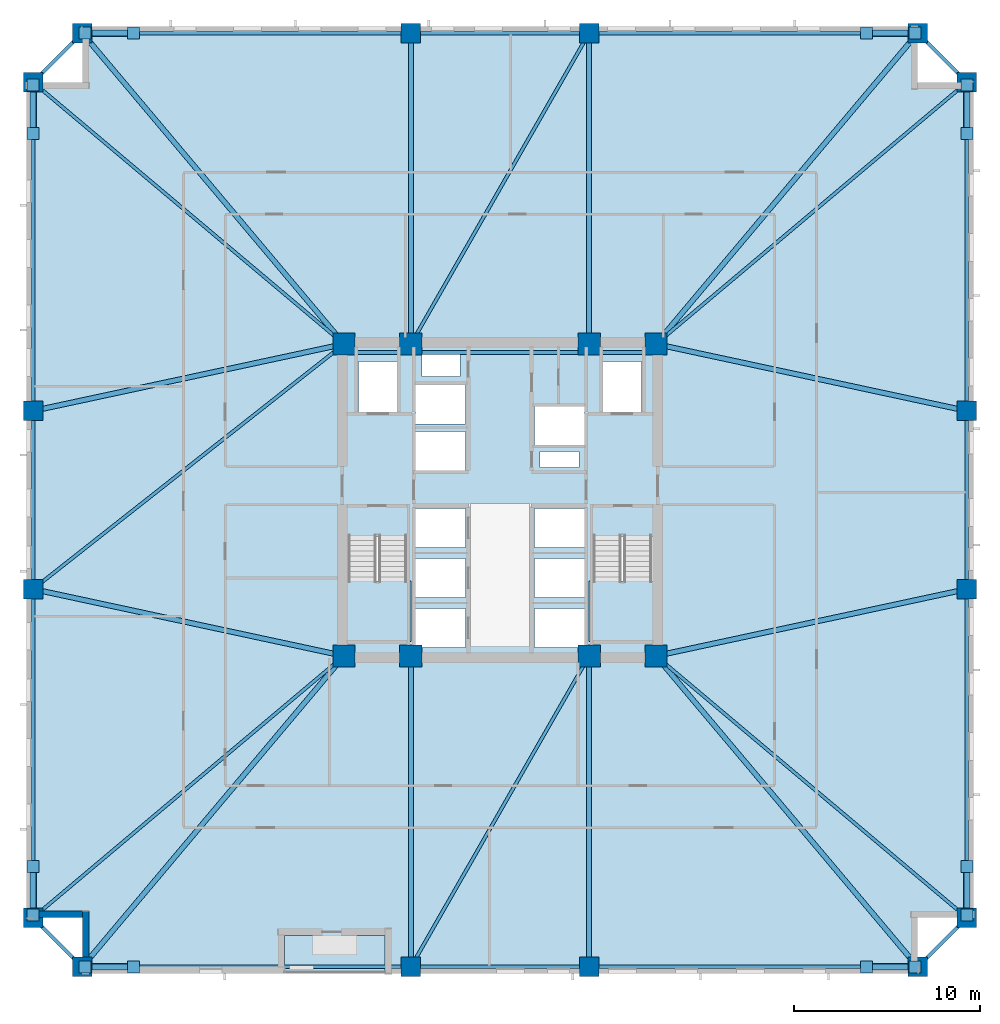
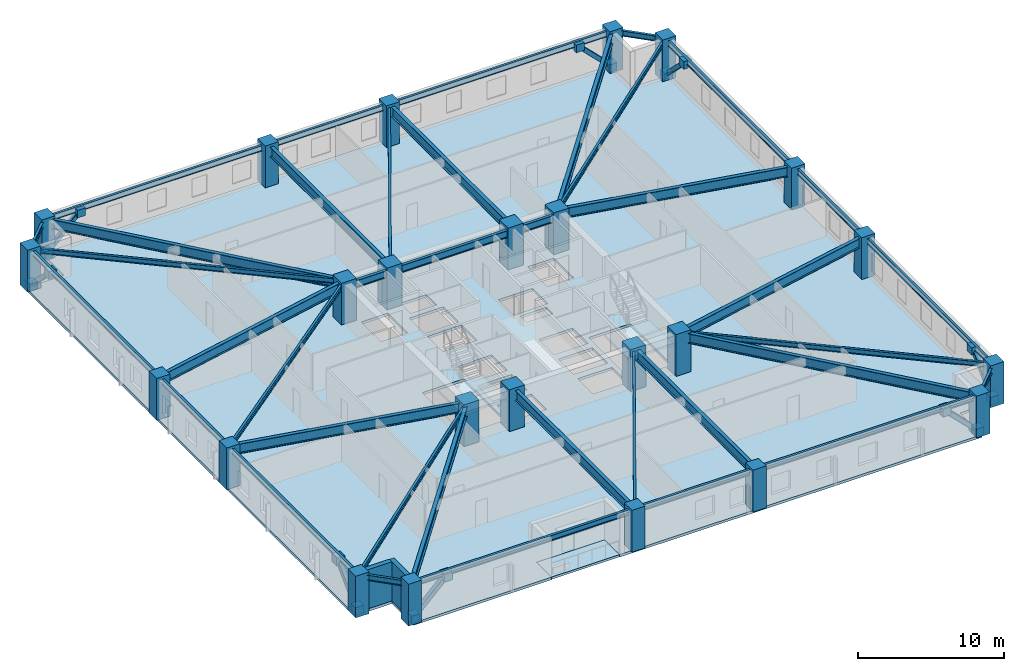
# One storey, part 1 of 10: 38 beams, 24 columns, 16 plates, 8 members, 4 slabs, 2 walls, 2 elements without a shape of their own.
"""IFC4 building model written with IfcOpenShell, lengths in metres."""

from ifc_helpers import new_model, si_unit, direction, frame, frame_2d, origin, origin_2d, place, context, subcontext, project, spatial, polyline, rectangle, hollow_rectangle, i_section, outline, extrude, material, layer, layer_set, material_profile, profile_set, type_object, element, aggregate, save


model = new_model("IFC4")

# Units and contexts
model_context = context("Model", 3, precision=1e-05, world=origin(), true_north=direction((0.0, 1.0)))
body_context = subcontext(model_context, "Body", "Model", "MODEL_VIEW")
ifc_project = project(units=[si_unit("LENGTHUNIT", "METRE"), si_unit("AREAUNIT", "SQUARE_METRE"), si_unit("VOLUMEUNIT", "CUBIC_METRE"), si_unit("PLANEANGLEUNIT", "RADIAN"), si_unit("MASSUNIT", "GRAM", prefix="KILO")], contexts=[model_context])

# Site, building, storey
site_placement = place(None, origin())
site = spatial("IfcSite", under=ifc_project, at=site_placement, CompositionType="ELEMENT")
building_placement = place(site_placement, origin())
building = spatial("IfcBuilding", under=site, at=building_placement, Name="Cairnveth Concourse Tower", CompositionType="ELEMENT")
storey_placement = place(building_placement, frame((0.0, 0.0, 27.0)))
storey = spatial("IfcBuildingStorey", under=building, at=storey_placement, Name="L06", CompositionType="ELEMENT", Elevation=27.0)

# Columns
ifc_material_1 = material(Name="Concrete N80 (80 MPa)", Category="concrete")
ifc_material_profile_1 = material_profile(ifc_material_1, rectangle(XDim=1.199951171875, YDim=1.199951171875, at=origin_2d()), Name="RC-COL-1200x1200")
ifc_profile_set_1 = profile_set([ifc_material_profile_1], Name="Concrete N80 (80 MPa)")
column_type_1 = type_object("IfcColumnType", Name="CORE COLUMN 1200X1200", PredefinedType="COLUMN", material=ifc_profile_set_1)
for number, where, z_axis, x_axis, name in (
    (1, (43.60009765625, 30.60009765625, 0.0), (0.0, 0.0, 1.0), (1.0, 0.0, 0.0), "Column CC1 L06"),
    (2, (47.199951171875, 30.60009765625, 0.0), (0.0, 0.0, 1.0), (1.0, 0.0, 0.0), "Column CC2 L06"),
    (3, (56.800048828125, 30.60009765625, 0.0), (0.0, 0.0, 1.0), (1.0, 0.0, 0.0), "Column CC3 L06"),
    (4, (60.39990234375, 30.60009765625, 0.0), (0.0, 0.0, 1.0), (1.0, 0.0, 0.0), "Column CC4 L06"),
    (5, (43.60009765625, 47.39990234375, 0.0), (0.0, 0.0, 1.0), (1.0, 0.0, 0.0), "Column CC5 L06"),
    (6, (47.199951171875, 47.39990234375, 0.0), (0.0, 0.0, 1.0), (1.0, 0.0, 0.0), "Column CC6 L06"),
    (7, (56.800048828125, 47.39990234375, 0.0), (0.0, 0.0, 1.0), (1.0, 0.0, 0.0), "Column CC7 L06"),
    (8, (60.39990234375, 47.39990234375, 0.0), (0.0, 0.0, 1.0), (1.0, 0.0, 0.0), "Column CC8 L06"),
):
    element("IfcColumn", number, at=place(storey_placement, frame(where, z_axis=z_axis, x_axis=x_axis)), inside=storey, type_object=column_type_1, Name=name, PredefinedType="COLUMN", context=body_context, shape_type="SweptSolid", body=[
        extrude(rectangle(XDim=1.199951171875, YDim=1.199951171875, at=origin_2d()), origin(), (0.0, 0.0, 1.0), 3.5),
    ])
ifc_material_2 = material(Name="Concrete N65 (65 MPa)", Category="concrete")
ifc_material_profile_2 = material_profile(ifc_material_2, rectangle(XDim=1.050048828125, YDim=1.050048828125, at=origin_2d()), Name="RC-COL-1050x1050")
ifc_profile_set_2 = profile_set([ifc_material_profile_2], Name="Concrete N65 (65 MPa)")
column_type_2 = type_object("IfcColumnType", Name="PERIMETER PIER COLUMN 1050X1050", PredefinedType="COLUMN", material=ifc_profile_set_2)
for number, where, z_axis, x_axis, name in (
    (9, (29.5, 13.85009765625, 0.0), (0.0, 0.0, 1.0), (1.0, 0.0, 0.0), "Column P-S1 L06"),
    (10, (47.199951171875, 13.85009765625, 0.0), (0.0, 0.0, 1.0), (1.0, 0.0, 0.0), "Column P-S2 L06"),
    (11, (56.800048828125, 13.85009765625, 0.0), (0.0, 0.0, 1.0), (1.0, 0.0, 0.0), "Column P-S3 L06"),
    (12, (74.5, 13.85009765625, 0.0), (0.0, 0.0, 1.0), (1.0, 0.0, 0.0), "Column P-S4 L06"),
    (13, (77.14990234375, 16.5, 0.0), (0.0, 0.0, 1.0), (0.0, 1.0, 0.0), "Column P-E1 L06"),
    (14, (77.14990234375, 34.199951171875, 0.0), (0.0, 0.0, 1.0), (0.0, 1.0, 0.0), "Column P-E2 L06"),
    (15, (77.14990234375, 43.800048828125, 0.0), (0.0, 0.0, 1.0), (0.0, 1.0, 0.0), "Column P-E3 L06"),
    (16, (77.14990234375, 61.5, 0.0), (0.0, 0.0, 1.0), (0.0, 1.0, 0.0), "Column P-E4 L06"),
    (17, (74.5, 64.14990234375, 0.0), (0.0, 0.0, 1.0), (1.0, 0.0, 0.0), "Column P-N1 L06"),
    (18, (56.800048828125, 64.14990234375, 0.0), (0.0, 0.0, 1.0), (1.0, 0.0, 0.0), "Column P-N2 L06"),
    (19, (47.199951171875, 64.14990234375, 0.0), (0.0, 0.0, 1.0), (1.0, 0.0, 0.0), "Column P-N3 L06"),
    (20, (29.5, 64.14990234375, 0.0), (0.0, 0.0, 1.0), (1.0, 0.0, 0.0), "Column P-N4 L06"),
    (21, (26.85009765625, 61.5, 0.0), (0.0, 0.0, 1.0), (0.0, 1.0, 0.0), "Column P-W1 L06"),
    (22, (26.85009765625, 43.800048828125, 0.0), (0.0, 0.0, 1.0), (0.0, 1.0, 0.0), "Column P-W2 L06"),
    (23, (26.85009765625, 34.199951171875, 0.0), (0.0, 0.0, 1.0), (0.0, 1.0, 0.0), "Column P-W3 L06"),
    (24, (26.85009765625, 16.5, 0.0), (0.0, 0.0, 1.0), (0.0, 1.0, 0.0), "Column P-W4 L06"),
):
    element("IfcColumn", number, at=place(storey_placement, frame(where, z_axis=z_axis, x_axis=x_axis)), inside=storey, type_object=column_type_2, Name=name, PredefinedType="COLUMN", context=body_context, shape_type="SweptSolid", body=[
        extrude(rectangle(XDim=1.050048828125, YDim=1.050048828125, at=origin_2d()), origin(), (0.0, 0.0, 1.0), 3.5),
    ])

# Beams
ifc_material_3 = material(Name="Steel Grade 350", Category="steel")
ifc_material_profile_3 = material_profile(ifc_material_3, i_section(OverallWidth=0.22802734375, OverallDepth=0.60693359375, WebThickness=0.01123046875, FlangeThickness=0.017333984375, FilletRadius=0.013916015625, at=origin_2d()), Name="610UB113")
ifc_profile_set_3 = profile_set([ifc_material_profile_3], Name="Steel Grade 350")
beam_type_1 = type_object("IfcBeamType", Name="CORE TIE BEAM 610UB113", PredefinedType="T_BEAM", material=ifc_profile_set_3)
for number, where, z_axis, x_axis, name in (
    (25, (43.60009765625, 46.949951171875, 2.9765625), (1.0, 0.0, 0.0), (0.0, 1.0, 0.0), "Beam CT-N1 L06"),
    (26, (56.800048828125, 46.949951171875, 2.9765625), (1.0, 0.0, 0.0), (0.0, 1.0, 0.0), "Beam CT-N3 L06"),
):
    element("IfcBeam", number, at=place(storey_placement, frame(where, z_axis=z_axis, x_axis=x_axis)), inside=storey, type_object=beam_type_1, Name=name, PredefinedType="T_BEAM", context=body_context, shape_type="SweptSolid", body=[
        extrude(i_section(OverallWidth=0.22802734375, OverallDepth=0.60693359375, WebThickness=0.01123046875, FlangeThickness=0.017333984375, FilletRadius=0.013916015625, at=origin_2d()), origin(), (0.0, 0.0, 1.0), 3.599853515625),
    ])
beam_1_placement = place(storey_placement, frame((47.199951171875, 46.949951171875, 2.9765625), z_axis=(1.0, 0.0, 0.0), x_axis=(0.0, 1.0, 0.0)))
element("IfcBeam", 27, at=beam_1_placement, inside=storey, type_object=beam_type_1, Name="Beam CT-N2 L06", PredefinedType="T_BEAM", context=body_context, shape_type="SweptSolid", body=[
    extrude(i_section(OverallWidth=0.22802734375, OverallDepth=0.60693359375, WebThickness=0.01123046875, FlangeThickness=0.017333984375, FilletRadius=0.013916015625, at=origin_2d()), origin(), (0.0, 0.0, 1.0), 9.60009765625),
])
ifc_material_profile_4 = material_profile(ifc_material_3, i_section(OverallWidth=0.177978515625, OverallDepth=0.406005859375, WebThickness=0.0078125, FlangeThickness=0.0126953125, FilletRadius=0.010986328125, at=origin_2d()), Name="410UB59.7")
ifc_profile_set_4 = profile_set([ifc_material_profile_4], Name="Steel Grade 350")
beam_type_2 = type_object("IfcBeamType", Name="ZONE 1 FLOOR JOIST 410UB59.7", PredefinedType="JOIST", material=ifc_profile_set_4)
for number, where, z_axis, x_axis, name in (
    (28, (26.85009765625, 16.5, 3.076904296875), (0.765027427674, 0.643997697905, 0.0), (-0.643997697905, 0.765027427674, 0.0), "Beam FJ-CSW2 L06"),
    (29, (77.14990234375, 16.5, 3.076904296875), (-0.765027427674, 0.643997697905, 0.0), (-0.643997697905, -0.765027427674, 0.0), "Beam FJ-CSE2 L06"),
    (30, (77.14990234375, 61.5, 3.076904296875), (-0.765027427674, -0.643997697905, 0.0), (0.643997697905, -0.765027427674, 0.0), "Beam FJ-CNE2 L06"),
    (31, (26.85009765625, 61.5, 3.076904296875), (0.765027427674, -0.643997697905, 0.0), (0.643997697905, 0.765027427674, 0.0), "Beam FJ-CNW2 L06"),
):
    element("IfcBeam", number, at=place(storey_placement, frame(where, z_axis=z_axis, x_axis=x_axis)), inside=storey, type_object=beam_type_2, Name=name, PredefinedType="JOIST", context=body_context, shape_type="SweptSolid", body=[
        extrude(i_section(OverallWidth=0.177978515625, OverallDepth=0.406005859375, WebThickness=0.0078125, FlangeThickness=0.0126953125, FilletRadius=0.010986328125, at=origin_2d()), origin(), (0.0, 0.0, 1.0), 21.89453125),
    ])
for number, where, z_axis, x_axis, name in (
    (32, (47.199951171875, 13.85009765625, 3.076904296875), (0.497257970706, 0.86760273776, 0.0), (-0.86760273776, 0.497257970706, 0.0), "Beam FJ-S-M1 L06"),
    (33, (47.199951171875, 47.39990234375, 3.076904296875), (0.497257970706, 0.86760273776, 0.0), (-0.86760273776, 0.497257970706, 0.0), "Beam FJ-N-M1 L06"),
):
    element("IfcBeam", number, at=place(storey_placement, frame(where, z_axis=z_axis, x_axis=x_axis)), inside=storey, type_object=beam_type_2, Name=name, PredefinedType="JOIST", context=body_context, shape_type="SweptSolid", body=[
        extrude(i_section(OverallWidth=0.177978515625, OverallDepth=0.406005859375, WebThickness=0.0078125, FlangeThickness=0.0126953125, FilletRadius=0.010986328125, at=origin_2d()), origin(), (0.0, 0.0, 1.0), 19.30615234375),
    ])
beam_2_placement = place(storey_placement, frame((26.85009765625, 34.199951171875, 3.076904296875), z_axis=(0.785423705995, 0.618958481694, 0.0), x_axis=(-0.618958481694, 0.785423705995, 0.0)))
element("IfcBeam", 34, at=beam_2_placement, inside=storey, type_object=beam_type_2, Name="Beam FJ-W-M1 L06", PredefinedType="JOIST", context=body_context, shape_type="SweptSolid", body=[
    extrude(i_section(OverallWidth=0.177978515625, OverallDepth=0.406005859375, WebThickness=0.0078125, FlangeThickness=0.0126953125, FilletRadius=0.010986328125, at=origin_2d()), origin(), (0.0, 0.0, 1.0), 21.326171875),
])

# Members
ifc_material_4 = material(Name="Steel C350L0 (350 MPa)", Category="steel")
ifc_material_profile_5 = material_profile(ifc_material_4, hollow_rectangle(XDim=0.35009765625, YDim=0.35009765625, WallThickness=0.01611328125, InnerFilletRadius=0.01611328125, OuterFilletRadius=0.031982421875, at=origin_2d()), Name="350x350x16.0SHS")
ifc_profile_set_5 = profile_set([ifc_material_profile_5], Name="Steel C350L0 (350 MPa)")
member_type = type_object("IfcMemberType", Name="ZONE 1 PIER BRACE 350X350X16SHS", PredefinedType="BRACE", material=ifc_profile_set_5)
for number, where, z_axis, x_axis, name in (
    (35, (29.64990234375, 13.85009765625, 0.25), (0.709834195787, 0.0, 0.704368805735), (0.0, 1.0, 0.0), "Structural Brace PB-S1 L06"),
    (36, (74.35009765625, 13.85009765625, 0.25), (-0.709834195787, 0.0, 0.704368805735), (0.0, -1.0, 0.0), "Structural Brace PB-S2 L06"),
    (37, (29.64990234375, 64.14990234375, 0.25), (0.709834195787, 0.0, 0.704368805735), (0.0, 1.0, 0.0), "Structural Brace PB-N1 L06"),
    (38, (74.35009765625, 64.14990234375, 0.25), (-0.709834195787, 0.0, 0.704368805735), (0.0, -1.0, 0.0), "Structural Brace PB-N2 L06"),
    (39, (26.85009765625, 16.64990234375, 0.25), (0.0, 0.709834195787, 0.704368805735), (-1.0, 0.0, 0.0), "Structural Brace PB-W1 L06"),
    (40, (26.85009765625, 61.35009765625, 0.25), (0.0, -0.709834195787, 0.704368805735), (1.0, 0.0, 0.0), "Structural Brace PB-W2 L06"),
    (41, (77.14990234375, 16.64990234375, 0.25), (0.0, 0.709834195787, 0.704368805735), (-1.0, 0.0, 0.0), "Structural Brace PB-E1 L06"),
    (42, (77.14990234375, 61.35009765625, 0.25), (0.0, -0.709834195787, 0.704368805735), (1.0, 0.0, 0.0), "Structural Brace PB-E2 L06"),
):
    element("IfcMember", number, at=place(storey_placement, frame(where, z_axis=z_axis, x_axis=x_axis)), inside=storey, type_object=member_type, Name=name, PredefinedType="BRACE", context=body_context, shape_type="SweptSolid", body=[
        extrude(hollow_rectangle(XDim=0.35009765625, YDim=0.35009765625, WallThickness=0.01611328125, InnerFilletRadius=0.01611328125, OuterFilletRadius=0.031982421875, at=origin_2d()), origin(), (0.0, 0.0, 1.0), 3.6630859375),
    ])

# Beams
ifc_material_profile_6 = material_profile(ifc_material_3, i_section(OverallWidth=0.27490234375, OverallDepth=0.81591796875, WebThickness=0.011962890625, FlangeThickness=0.028076171875, at=origin_2d()), Name="800WB192")
ifc_profile_set_6 = profile_set([ifc_material_profile_6], Name="Steel Grade 350")
beam_type_3 = type_object("IfcBeamType", Name="ZONE 1 RADIAL GIRDER 800WB192", PredefinedType="BEAM", material=ifc_profile_set_6)
for number, where, z_axis, x_axis, name in (
    (43, (47.199951171875, 13.85009765625, 2.8720703125), (0.0, 1.0, 0.0), (-1.0, 0.0, 0.0), "Beam RG-S1 L06"),
    (44, (56.800048828125, 13.85009765625, 2.8720703125), (0.0, 1.0, 0.0), (-1.0, 0.0, 0.0), "Beam RG-S2 L06"),
    (45, (47.199951171875, 47.39990234375, 2.8720703125), (0.0, 1.0, 0.0), (-1.0, 0.0, 0.0), "Beam RG-N1 L06"),
    (46, (56.800048828125, 47.39990234375, 2.8720703125), (0.0, 1.0, 0.0), (-1.0, 0.0, 0.0), "Beam RG-N2 L06"),
):
    element("IfcBeam", number, at=place(storey_placement, frame(where, z_axis=z_axis, x_axis=x_axis)), inside=storey, type_object=beam_type_3, Name=name, PredefinedType="BEAM", context=body_context, shape_type="SweptSolid", body=[
        extrude(i_section(OverallWidth=0.27490234375, OverallDepth=0.81591796875, WebThickness=0.011962890625, FlangeThickness=0.028076171875, at=origin_2d()), origin(), (0.0, 0.0, 1.0), 16.75),
    ])
for number, where, z_axis, x_axis, name in (
    (47, (26.85009765625, 34.199951171875, 2.8720703125), (0.977675861524, -0.210118799239, 0.0), (0.210118799239, 0.977675861524, 0.0), "Beam RG-W1 L06"),
    (48, (26.85009765625, 43.800048828125, 2.8720703125), (0.977675861524, 0.210118799239, 0.0), (-0.210118799239, 0.977675861524, 0.0), "Beam RG-W2 L06"),
    (49, (60.39990234375, 30.60009765625, 2.8720703125), (0.977675861524, 0.210118799239, 0.0), (-0.210118799239, 0.977675861524, 0.0), "Beam RG-E1 L06"),
    (50, (60.39990234375, 47.39990234375, 2.8720703125), (0.977675861524, -0.210118799239, 0.0), (0.210118799239, 0.977675861524, 0.0), "Beam RG-E2 L06"),
):
    element("IfcBeam", number, at=place(storey_placement, frame(where, z_axis=z_axis, x_axis=x_axis)), inside=storey, type_object=beam_type_3, Name=name, PredefinedType="BEAM", context=body_context, shape_type="SweptSolid", body=[
        extrude(i_section(OverallWidth=0.27490234375, OverallDepth=0.81591796875, WebThickness=0.011962890625, FlangeThickness=0.028076171875, at=origin_2d()), origin(), (0.0, 0.0, 1.0), 17.132568359375),
    ])
for number, where, z_axis, x_axis, name in (
    (51, (29.5, 13.85009765625, 2.8720703125), (0.643997697905, 0.765027427674, 0.0), (-0.765027427674, 0.643997697905, 0.0), "Beam RG-CSW L06"),
    (52, (74.5, 13.85009765625, 2.8720703125), (-0.643997697905, 0.765027427674, 0.0), (-0.765027427674, -0.643997697905, 0.0), "Beam RG-CSE L06"),
    (53, (74.5, 64.14990234375, 2.8720703125), (-0.643997697905, -0.765027427674, 0.0), (0.765027427674, -0.643997697905, 0.0), "Beam RG-CNE L06"),
    (54, (29.5, 64.14990234375, 2.8720703125), (0.643997697905, -0.765027427674, 0.0), (0.765027427674, 0.643997697905, 0.0), "Beam RG-CNW L06"),
):
    element("IfcBeam", number, at=place(storey_placement, frame(where, z_axis=z_axis, x_axis=x_axis)), inside=storey, type_object=beam_type_3, Name=name, PredefinedType="BEAM", context=body_context, shape_type="SweptSolid", body=[
        extrude(i_section(OverallWidth=0.27490234375, OverallDepth=0.81591796875, WebThickness=0.011962890625, FlangeThickness=0.028076171875, at=origin_2d()), origin(), (0.0, 0.0, 1.0), 21.89453125),
    ])
ifc_material_profile_7 = material_profile(ifc_material_3, i_section(OverallWidth=0.19091796875, OverallDepth=0.4599609375, WebThickness=0.010009765625, FlangeThickness=0.01611328125, FilletRadius=0.010986328125, at=origin_2d()), Name="460UB82.1")
ifc_profile_set_7 = profile_set([ifc_material_profile_7], Name="Steel Grade 350")
beam_type_4 = type_object("IfcBeamType", Name="ZONE 1 SPANDREL BEAM 460UB82.1", PredefinedType="SPANDREL", material=ifc_profile_set_7)
beam_3_placement = place(storey_placement, frame((29.5, 13.85009765625, 3.050048828125), z_axis=(1.0, 0.0, 0.0), x_axis=(0.0, 1.0, 0.0)))
element("IfcBeam", 55, at=beam_3_placement, inside=storey, type_object=beam_type_4, Name="Beam SP-S1 L06", PredefinedType="SPANDREL", context=body_context, shape_type="SweptSolid", body=[
    extrude(i_section(OverallWidth=0.19091796875, OverallDepth=0.4599609375, WebThickness=0.010009765625, FlangeThickness=0.01611328125, FilletRadius=0.010986328125, at=origin_2d()), origin(), (0.0, 0.0, 1.0), 17.699951171875),
])
beam_4_placement = place(storey_placement, frame((47.199951171875, 13.85009765625, 3.050048828125), z_axis=(1.0, 0.0, 0.0), x_axis=(0.0, 1.0, 0.0)))
element("IfcBeam", 56, at=beam_4_placement, inside=storey, type_object=beam_type_4, Name="Beam SP-S2 L06", PredefinedType="SPANDREL", context=body_context, shape_type="SweptSolid", body=[
    extrude(i_section(OverallWidth=0.19091796875, OverallDepth=0.4599609375, WebThickness=0.010009765625, FlangeThickness=0.01611328125, FilletRadius=0.010986328125, at=origin_2d()), origin(), (0.0, 0.0, 1.0), 9.60009765625),
])
for number, where, z_axis, x_axis, name in (
    (57, (56.800048828125, 13.85009765625, 3.050048828125), (1.0, 0.0, 0.0), (0.0, 1.0, 0.0), "Beam SP-S3 L06"),
    (58, (29.5, 64.14990234375, 3.050048828125), (1.0, 0.0, 0.0), (0.0, 1.0, 0.0), "Beam SP-N1 L06"),
):
    element("IfcBeam", number, at=place(storey_placement, frame(where, z_axis=z_axis, x_axis=x_axis)), inside=storey, type_object=beam_type_4, Name=name, PredefinedType="SPANDREL", context=body_context, shape_type="SweptSolid", body=[
        extrude(i_section(OverallWidth=0.19091796875, OverallDepth=0.4599609375, WebThickness=0.010009765625, FlangeThickness=0.01611328125, FilletRadius=0.010986328125, at=origin_2d()), origin(), (0.0, 0.0, 1.0), 17.699951171875),
    ])
beam_5_placement = place(storey_placement, frame((47.199951171875, 64.14990234375, 3.050048828125), z_axis=(1.0, 0.0, 0.0), x_axis=(0.0, 1.0, 0.0)))
element("IfcBeam", 59, at=beam_5_placement, inside=storey, type_object=beam_type_4, Name="Beam SP-N2 L06", PredefinedType="SPANDREL", context=body_context, shape_type="SweptSolid", body=[
    extrude(i_section(OverallWidth=0.19091796875, OverallDepth=0.4599609375, WebThickness=0.010009765625, FlangeThickness=0.01611328125, FilletRadius=0.010986328125, at=origin_2d()), origin(), (0.0, 0.0, 1.0), 9.60009765625),
])
for number, where, z_axis, x_axis, name in (
    (60, (56.800048828125, 64.14990234375, 3.050048828125), (1.0, 0.0, 0.0), (0.0, 1.0, 0.0), "Beam SP-N3 L06"),
    (61, (26.85009765625, 16.5, 3.050048828125), (0.0, 1.0, 0.0), (-1.0, 0.0, 0.0), "Beam SP-W1 L06"),
):
    element("IfcBeam", number, at=place(storey_placement, frame(where, z_axis=z_axis, x_axis=x_axis)), inside=storey, type_object=beam_type_4, Name=name, PredefinedType="SPANDREL", context=body_context, shape_type="SweptSolid", body=[
        extrude(i_section(OverallWidth=0.19091796875, OverallDepth=0.4599609375, WebThickness=0.010009765625, FlangeThickness=0.01611328125, FilletRadius=0.010986328125, at=origin_2d()), origin(), (0.0, 0.0, 1.0), 17.699951171875),
    ])
beam_6_placement = place(storey_placement, frame((26.85009765625, 34.199951171875, 3.050048828125), z_axis=(0.0, 1.0, 0.0), x_axis=(-1.0, 0.0, 0.0)))
element("IfcBeam", 62, at=beam_6_placement, inside=storey, type_object=beam_type_4, Name="Beam SP-W2 L06", PredefinedType="SPANDREL", context=body_context, shape_type="SweptSolid", body=[
    extrude(i_section(OverallWidth=0.19091796875, OverallDepth=0.4599609375, WebThickness=0.010009765625, FlangeThickness=0.01611328125, FilletRadius=0.010986328125, at=origin_2d()), origin(), (0.0, 0.0, 1.0), 9.60009765625),
])
for number, where, z_axis, x_axis, name in (
    (63, (26.85009765625, 43.800048828125, 3.050048828125), (0.0, 1.0, 0.0), (-1.0, 0.0, 0.0), "Beam SP-W3 L06"),
    (64, (77.14990234375, 16.5, 3.050048828125), (0.0, 1.0, 0.0), (-1.0, 0.0, 0.0), "Beam SP-E1 L06"),
):
    element("IfcBeam", number, at=place(storey_placement, frame(where, z_axis=z_axis, x_axis=x_axis)), inside=storey, type_object=beam_type_4, Name=name, PredefinedType="SPANDREL", context=body_context, shape_type="SweptSolid", body=[
        extrude(i_section(OverallWidth=0.19091796875, OverallDepth=0.4599609375, WebThickness=0.010009765625, FlangeThickness=0.01611328125, FilletRadius=0.010986328125, at=origin_2d()), origin(), (0.0, 0.0, 1.0), 17.699951171875),
    ])
beam_7_placement = place(storey_placement, frame((77.14990234375, 34.199951171875, 3.050048828125), z_axis=(0.0, 1.0, 0.0), x_axis=(-1.0, 0.0, 0.0)))
element("IfcBeam", 65, at=beam_7_placement, inside=storey, type_object=beam_type_4, Name="Beam SP-E2 L06", PredefinedType="SPANDREL", context=body_context, shape_type="SweptSolid", body=[
    extrude(i_section(OverallWidth=0.19091796875, OverallDepth=0.4599609375, WebThickness=0.010009765625, FlangeThickness=0.01611328125, FilletRadius=0.010986328125, at=origin_2d()), origin(), (0.0, 0.0, 1.0), 9.60009765625),
])
beam_8_placement = place(storey_placement, frame((77.14990234375, 43.800048828125, 3.050048828125), z_axis=(0.0, 1.0, 0.0), x_axis=(-1.0, 0.0, 0.0)))
element("IfcBeam", 66, at=beam_8_placement, inside=storey, type_object=beam_type_4, Name="Beam SP-E3 L06", PredefinedType="SPANDREL", context=body_context, shape_type="SweptSolid", body=[
    extrude(i_section(OverallWidth=0.19091796875, OverallDepth=0.4599609375, WebThickness=0.010009765625, FlangeThickness=0.01611328125, FilletRadius=0.010986328125, at=origin_2d()), origin(), (0.0, 0.0, 1.0), 17.699951171875),
])
for number, where, z_axis, x_axis, name in (
    (67, (26.85009765625, 16.5, 3.050048828125), (0.707106781187, -0.707106781187, 0.0), (0.707106781187, 0.707106781187, 0.0), "Beam SP-SW L06"),
    (68, (74.5, 13.85009765625, 3.050048828125), (0.707106781187, 0.707106781187, 0.0), (-0.707106781187, 0.707106781187, 0.0), "Beam SP-SE L06"),
    (69, (74.5, 64.14990234375, 3.050048828125), (0.707106781187, -0.707106781187, 0.0), (0.707106781187, 0.707106781187, 0.0), "Beam SP-NE L06"),
    (70, (26.85009765625, 61.5, 3.050048828125), (0.707106781187, 0.707106781187, 0.0), (-0.707106781187, 0.707106781187, 0.0), "Beam SP-NW L06"),
):
    element("IfcBeam", number, at=place(storey_placement, frame(where, z_axis=z_axis, x_axis=x_axis)), inside=storey, type_object=beam_type_4, Name=name, PredefinedType="SPANDREL", context=body_context, shape_type="SweptSolid", body=[
        extrude(i_section(OverallWidth=0.19091796875, OverallDepth=0.4599609375, WebThickness=0.010009765625, FlangeThickness=0.01611328125, FilletRadius=0.010986328125, at=origin_2d()), origin(), (0.0, 0.0, 1.0), 3.74755859375),
    ])

# Slab
ifc_material_5 = material(Name="Concrete N50 (50 MPa)", Category="concrete")
ifc_layer_1 = layer(ifc_material_5, 0.219970703125)
ifc_layer_set_1 = layer_set([ifc_layer_1], Name="Concrete N50 (50 MPa)")
slab_type_1 = type_object("IfcSlabType", Name="LOWER TOWER COMPOSITE SLAB 220", PredefinedType="FLOOR", material=ifc_layer_set_1)
slab_1_placement = place(storey_placement, frame((0.0, 0.0, -0.219970703125)))
element("IfcSlab", 71, at=slab_1_placement, inside=storey, type_object=slab_type_1, Name="Tower Floor Slab L06", PredefinedType="FLOOR", context=body_context, shape_type="SweptSolid", body=[
    extrude(outline(polyline([(40.39990234375, 13.5), (40.39990234375, 15.550048828125), (45.800048828125, 15.550048828125), (45.800048828125, 13.5), (74.5, 13.5), (74.5, 16.5), (77.5, 16.5), (77.5, 61.5), (74.5, 61.5), (74.5, 64.5), (29.5, 64.5), (29.5, 61.5), (26.5, 61.5), (26.5, 16.5), (29.5, 16.5), (29.5, 13.5), (40.39990234375, 13.5)]), holes=[polyline([(43.760009765625, 31.360107421875), (47.06005859375, 31.360107421875), (47.06005859375, 37.0400390625), (43.760009765625, 37.0400390625), (43.760009765625, 31.360107421875)]), polyline([(56.93994140625, 31.360107421875), (60.239990234375, 31.360107421875), (60.239990234375, 37.0400390625), (56.93994140625, 37.0400390625), (56.93994140625, 31.360107421875)]), polyline([(44.3701171875, 43.75), (46.469970703125, 43.75), (46.469970703125, 46.449951171875), (44.3701171875, 46.449951171875), (44.3701171875, 43.75)]), polyline([(57.530029296875, 43.75), (59.6298828125, 43.75), (59.6298828125, 46.449951171875), (57.530029296875, 46.449951171875), (57.530029296875, 43.75)]), polyline([(47.449951171875, 31.050048828125), (50.14990234375, 31.050048828125), (50.14990234375, 33.14990234375), (47.449951171875, 33.14990234375), (47.449951171875, 31.050048828125)]), polyline([(47.449951171875, 33.75), (50.14990234375, 33.75), (50.14990234375, 35.85009765625), (47.449951171875, 35.85009765625), (47.449951171875, 33.75)]), polyline([(47.449951171875, 36.449951171875), (50.14990234375, 36.449951171875), (50.14990234375, 38.550048828125), (47.449951171875, 38.550048828125), (47.449951171875, 36.449951171875)]), polyline([(53.85009765625, 31.050048828125), (56.550048828125, 31.050048828125), (56.550048828125, 33.14990234375), (53.85009765625, 33.14990234375), (53.85009765625, 31.050048828125)]), polyline([(53.85009765625, 33.75), (56.550048828125, 33.75), (56.550048828125, 35.85009765625), (53.85009765625, 35.85009765625), (53.85009765625, 33.75)]), polyline([(53.85009765625, 36.449951171875), (56.550048828125, 36.449951171875), (56.550048828125, 38.550048828125), (53.85009765625, 38.550048828125), (53.85009765625, 36.449951171875)]), polyline([(47.449951171875, 40.60009765625), (50.14990234375, 40.60009765625), (50.14990234375, 42.699951171875), (47.449951171875, 42.699951171875), (47.449951171875, 40.60009765625)]), polyline([(47.449951171875, 43.10009765625), (50.14990234375, 43.10009765625), (50.14990234375, 45.199951171875), (47.449951171875, 45.199951171875), (47.449951171875, 43.10009765625)]), polyline([(53.85009765625, 41.949951171875), (56.550048828125, 41.949951171875), (56.550048828125, 44.050048828125), (53.85009765625, 44.050048828125), (53.85009765625, 41.949951171875)]), polyline([(47.800048828125, 45.64990234375), (49.85009765625, 45.64990234375), (49.85009765625, 47.050048828125), (47.800048828125, 47.050048828125), (47.800048828125, 45.64990234375)]), polyline([(54.14990234375, 40.75), (56.25, 40.75), (56.25, 41.6201171875), (54.14990234375, 41.6201171875), (54.14990234375, 40.75)])]), origin(), (0.0, 0.0, 1.0), 0.219970703125),
])

# Plates
ifc_layer_2 = layer(ifc_material_3, 0.031982421875)
ifc_layer_set_2 = layer_set([ifc_layer_2], Name="Steel Grade 350")
plate_type = type_object("IfcPlateType", Name="PERIMETER BRACE GUSSET PLATE 32", PredefinedType="USERDEFINED", material=ifc_layer_set_2)
for number, where, z_axis, x_axis, name in (
    (72, (29.64990234375, 13.85009765625, -0.06982421875), (0.0, 0.0, 1.0), (1.0, 0.0, 0.0), "Structural Node Plate 0077 L06"),
    (73, (32.25, 13.85009765625, 2.51025390625), (0.0, 0.0, 1.0), (1.0, 0.0, 0.0), "Structural Node Plate 0078 L06"),
    (74, (74.35009765625, 13.85009765625, -0.06982421875), (0.0, 0.0, 1.0), (1.0, 0.0, 0.0), "Structural Node Plate 0079 L06"),
    (75, (71.75, 13.85009765625, 2.51025390625), (0.0, 0.0, 1.0), (1.0, 0.0, 0.0), "Structural Node Plate 0080 L06"),
    (76, (29.64990234375, 64.14990234375, -0.06982421875), (0.0, 0.0, 1.0), (1.0, 0.0, 0.0), "Structural Node Plate 0081 L06"),
    (77, (32.25, 64.14990234375, 2.51025390625), (0.0, 0.0, 1.0), (1.0, 0.0, 0.0), "Structural Node Plate 0082 L06"),
    (78, (74.35009765625, 64.14990234375, -0.06982421875), (0.0, 0.0, 1.0), (1.0, 0.0, 0.0), "Structural Node Plate 0083 L06"),
    (79, (71.75, 64.14990234375, 2.51025390625), (0.0, 0.0, 1.0), (1.0, 0.0, 0.0), "Structural Node Plate 0084 L06"),
    (80, (26.85009765625, 16.64990234375, -0.06982421875), (0.0, 0.0, 1.0), (1.0, 0.0, 0.0), "Structural Node Plate 0085 L06"),
    (81, (26.85009765625, 19.25, 2.51025390625), (0.0, 0.0, 1.0), (1.0, 0.0, 0.0), "Structural Node Plate 0086 L06"),
    (82, (26.85009765625, 61.35009765625, -0.06982421875), (0.0, 0.0, 1.0), (1.0, 0.0, 0.0), "Structural Node Plate 0087 L06"),
    (83, (26.85009765625, 58.75, 2.51025390625), (0.0, 0.0, 1.0), (1.0, 0.0, 0.0), "Structural Node Plate 0088 L06"),
    (84, (77.14990234375, 16.64990234375, -0.06982421875), (0.0, 0.0, 1.0), (1.0, 0.0, 0.0), "Structural Node Plate 0089 L06"),
    (85, (77.14990234375, 19.25, 2.51025390625), (0.0, 0.0, 1.0), (1.0, 0.0, 0.0), "Structural Node Plate 0090 L06"),
    (86, (77.14990234375, 61.35009765625, -0.06982421875), (0.0, 0.0, 1.0), (1.0, 0.0, 0.0), "Structural Node Plate 0091 L06"),
    (87, (77.14990234375, 58.75, 2.51025390625), (0.0, 0.0, 1.0), (1.0, 0.0, 0.0), "Structural Node Plate 0092 L06"),
):
    element("IfcPlate", number, at=place(storey_placement, frame(where, z_axis=z_axis, x_axis=x_axis)), inside=storey, type_object=plate_type, Name=name, ObjectType="GUSSET PLATE", PredefinedType="USERDEFINED", context=body_context, shape_type="SweptSolid", body=[
        extrude(rectangle(XDim=0.639892578125, YDim=0.639892578125, at=origin_2d()), origin(), (0.0, 0.0, 1.0), 0.639892578125),
    ])

# Slab
ifc_layer_3 = layer(ifc_material_5, 0.18994140625)
ifc_layer_set_3 = layer_set([ifc_layer_3], Name="Concrete N50 (50 MPa)")
slab_type_2 = type_object("IfcSlabType", Name="SPIRAL OUTDOOR TERRACE SLAB 190", PredefinedType="FLOOR", material=ifc_layer_set_3)
slab_2_placement = place(storey_placement, frame((0.0, 0.0, -0.18994140625)))
element("IfcSlab", 88, at=slab_2_placement, inside=storey, type_object=slab_type_2, Name="Spiral Terrace Slab L06", PredefinedType="FLOOR", context=body_context, shape_type="SweptSolid", body=[
    extrude(outline(polyline([(40.39990234375, 13.5), (45.800048828125, 13.5), (45.800048828125, 15.550048828125), (40.39990234375, 15.550048828125), (40.39990234375, 13.5)])), origin(), (0.0, 0.0, 1.0), 0.18994140625),
])

# Stair, slab
ifc_material_6 = material(Name="Precast concrete N50 (50 MPa)", Category="concrete")
stair_type = type_object("IfcStairType", Name="CORE DOG-LEG FIRE STAIR 1500", PredefinedType="HALF_TURN_STAIR", material=ifc_material_6)
stair_1_placement = place(storey_placement, origin())
stair_1 = element("IfcStair", 89, at=stair_1_placement, inside=storey, type_object=stair_type, Name="L06 Fire-Isolated Stair ST-1", PredefinedType="HALF_TURN_STAIR")
ifc_layer_4 = layer(ifc_material_5, 0.199951171875)
ifc_layer_set_4 = layer_set([ifc_layer_4], Name="Concrete N50 (50 MPa)")
slab_type_3 = type_object("IfcSlabType", Name="STAIR HALF LANDING SLAB 200", PredefinedType="LANDING", material=ifc_layer_set_4)
slab_3_placement = place(storey_placement, frame((0.0, 0.0, 1.550048828125)))
slab_3 = element("IfcSlab", 90, at=slab_3_placement, type_object=slab_type_3, Name="ST-1 landing 1", PredefinedType="LANDING", context=body_context, shape_type="SweptSolid", body=[
    extrude(outline(polyline([(43.6201171875, 34.639892578125), (43.6201171875, 31.3701171875), (47.199951171875, 31.3701171875), (47.199951171875, 34.639892578125), (43.6201171875, 34.639892578125)])), origin(), (0.0, 0.0, 1.0), 0.199951171875),
])
aggregate(stair_1, [slab_3])

stair_2_placement = place(storey_placement, origin())
stair_2 = element("IfcStair", 91, at=stair_2_placement, inside=storey, type_object=stair_type, Name="L06 Fire-Isolated Stair ST-2", PredefinedType="HALF_TURN_STAIR")
slab_4_placement = place(storey_placement, frame((0.0, 0.0, 1.550048828125)))
slab_4 = element("IfcSlab", 92, at=slab_4_placement, type_object=slab_type_3, Name="ST-2 landing 1", PredefinedType="LANDING", context=body_context, shape_type="SweptSolid", body=[
    extrude(outline(polyline([(56.800048828125, 34.639892578125), (56.800048828125, 31.3701171875), (60.3798828125, 31.3701171875), (60.3798828125, 34.639892578125), (56.800048828125, 34.639892578125)])), origin(), (0.0, 0.0, 1.0), 0.199951171875),
])
aggregate(stair_2, [slab_4])

# Walls
ifc_material_7 = material(Name="Hawthorn Red-Ochre Fired Clay Brick Masonry", Category="masonry")
ifc_layer_5 = layer(ifc_material_7, 0.360107421875)
ifc_layer_set_5 = layer_set([ifc_layer_5], Name="Hawthorn Red-Ochre Fired Clay Brick Masonry")
wall_type = type_object("IfcWallType", Name="ZONE 1 BRICK PIER SPANDREL WALL 360", PredefinedType="SOLIDWALL", material=ifc_layer_set_5)
wall_1_placement = place(storey_placement, frame((29.679931640625, 13.5, 0.0), z_axis=(0.0, 0.0, 1.0), x_axis=(0.0, 1.0, 0.0)))
element("IfcWall", 93, at=wall_1_placement, inside=storey, type_object=wall_type, Name="Exterior Wall EW-L06-S01", PredefinedType="SOLIDWALL", context=body_context, shape_type="SweptSolid", body=[
    extrude(rectangle(XDim=3.360107421875, YDim=0.360107421875, at=frame_2d((1.68017578125, 0.0))), origin(), (0.0, 0.0, 1.0), 3.280029296875),
])
wall_2_placement = place(storey_placement, frame((29.52197265625, 16.679931640625, 0.0), z_axis=(0.0, 0.0, 1.0), x_axis=(-1.0, 0.0, 0.0)))
element("IfcWall", 94, at=wall_2_placement, inside=storey, type_object=wall_type, Name="Exterior Wall EW-L06-S02", PredefinedType="SOLIDWALL", context=body_context, shape_type="SweptSolid", body=[
    extrude(rectangle(XDim=2.68408203125, YDim=0.360107421875, at=frame_2d((1.342041015625, 0.0))), origin(), (0.0, 0.0, 1.0), 3.280029296875),
])

save(model, "model.ifc")
